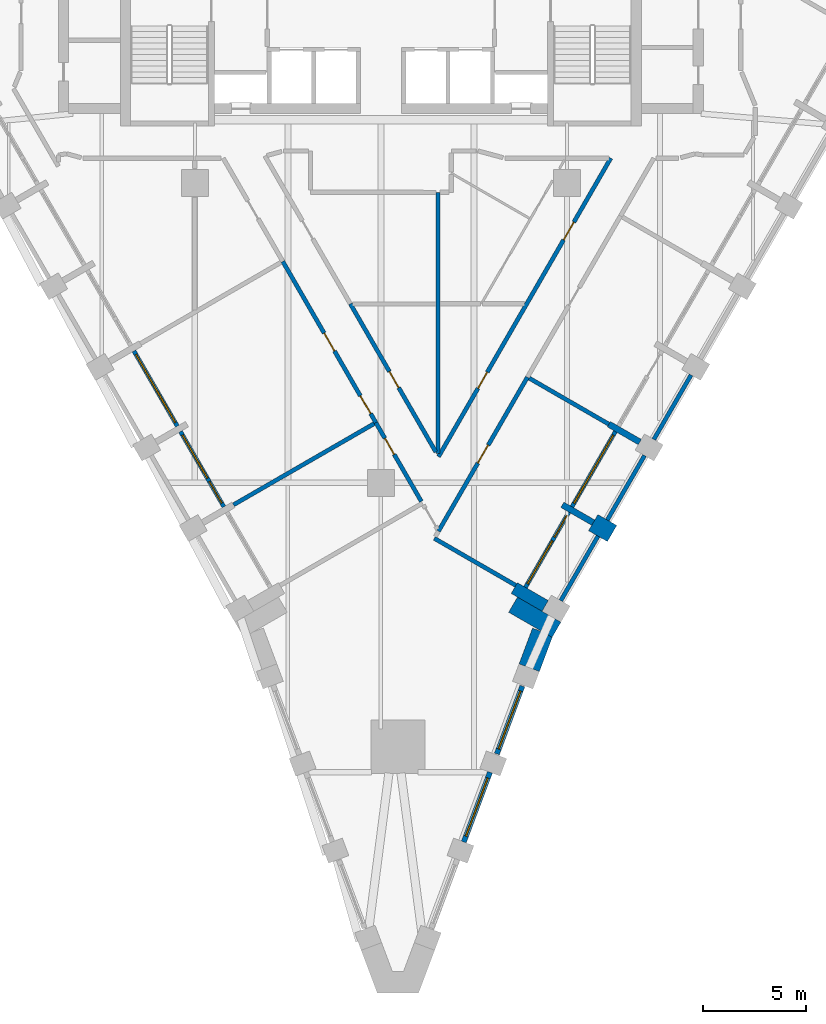
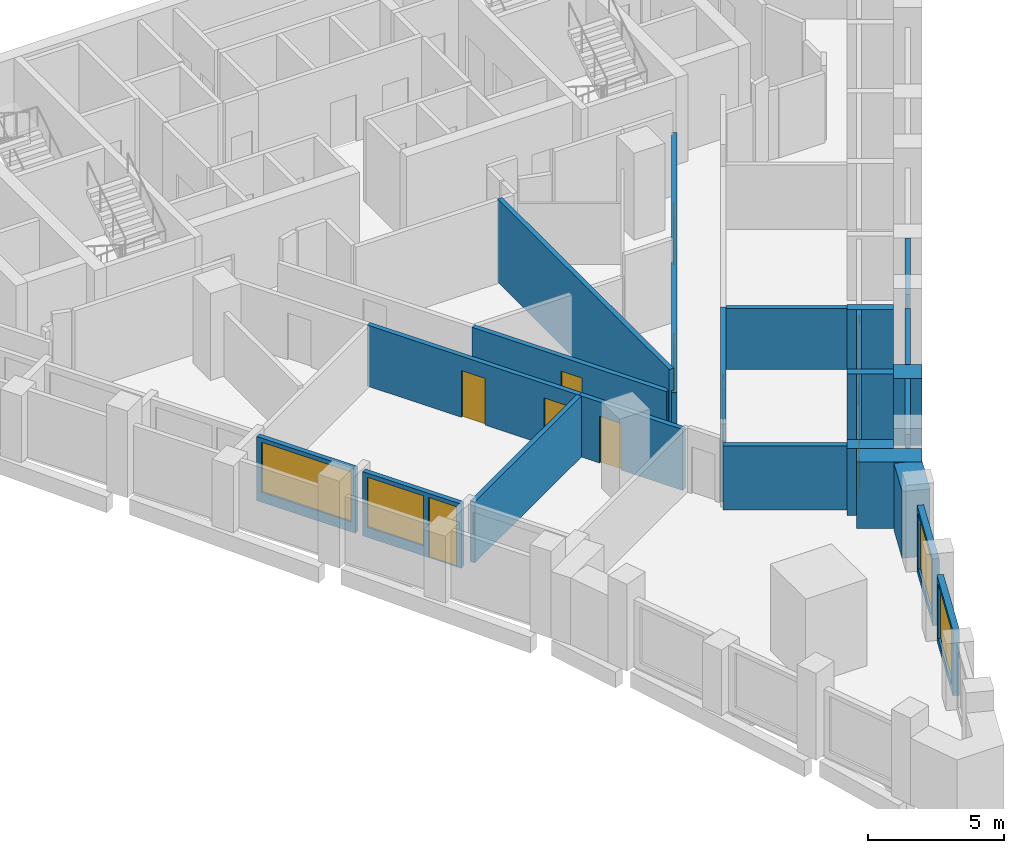
# One storey, part 3 of 10: 24 walls, 9 doors, 6 windows, 15 openings.
"""IFC4 building model written with IfcOpenShell, lengths in metres."""

from ifc_helpers import new_model, si_unit, direction, frame, frame_2d, origin, place, context, subcontext, project, spatial, polyline, rectangle, outline, extrude, material, layer, layer_set, type_object, element, fill, save


model = new_model("IFC4")

# Units and contexts
model_context = context("Model", 3, precision=1e-05, world=origin(), true_north=direction((0.0, 1.0)))
body_context = subcontext(model_context, "Body", "Model", "MODEL_VIEW")
ifc_project = project(units=[si_unit("LENGTHUNIT", "METRE"), si_unit("AREAUNIT", "SQUARE_METRE"), si_unit("VOLUMEUNIT", "CUBIC_METRE"), si_unit("PLANEANGLEUNIT", "RADIAN"), si_unit("MASSUNIT", "GRAM", prefix="KILO")], contexts=[model_context])

# Site, building, storey
site_placement = place(None, origin())
site = spatial("IfcSite", under=ifc_project, at=site_placement, CompositionType="ELEMENT")
building_placement = place(site_placement, origin())
building = spatial("IfcBuilding", under=site, at=building_placement, Name="Calabash Gate Tower", CompositionType="ELEMENT")
storey_placement = place(building_placement, frame((0.0, 0.0, 183.60009765625)))
storey = spatial("IfcBuildingStorey", under=building, at=storey_placement, Name="L43", CompositionType="ELEMENT", Elevation=183.60009765625)

# Walls
ifc_material_1 = material(Name="Terracotta brick masonry, exposed face", Category="masonry")
ifc_layer_1 = layer(ifc_material_1, 2.425048828125)
ifc_layer_set_1 = layer_set([ifc_layer_1], Name="Brick corner mass wall 2425")
wall_type_1 = type_object("IfcWallType", Name="Brick corner mass wall 2425", PredefinedType="SOLIDWALL", material=ifc_layer_set_1)
wall_1_placement = place(storey_placement, frame((8.489013671875, -19.102294921875, 0.0), z_axis=(0.0, 0.0, 1.0), x_axis=(-0.866041403502, 0.499972286653, 0.0)))
element("IfcWall", 1, at=wall_1_placement, inside=storey, type_object=wall_type_1, Name="Brick corner pier S12 2", PredefinedType="SOLIDWALL", context=body_context, shape_type="SweptSolid", body=[
    extrude(rectangle(XDim=2.425048828125, YDim=0.849609375, at=frame_2d((1.21240234375, 0.0))), origin(), (0.0, 0.0, 1.0), 3.0),
])
ifc_material_2 = material(Name="Terracotta brick masonry, exposed face", Category="masonry")
ifc_layer_2 = layer(ifc_material_2, 1.050048828125)
ifc_layer_set_2 = layer_set([ifc_layer_2], Name="Brick end wall 1050")
wall_type_2 = type_object("IfcWallType", Name="Brick end wall 1050", PredefinedType="SOLIDWALL", material=ifc_layer_set_2)
wall_2_placement = place(storey_placement, frame((11.17626953125, -14.447509765625, 0.0), z_axis=(0.0, 0.0, 1.0), x_axis=(-0.866030680601, 0.499990860175, 0.0)))
element("IfcWall", 2, at=wall_2_placement, inside=storey, type_object=wall_type_2, Name="Brick pier S12 SE4.1", PredefinedType="SOLIDWALL", context=body_context, shape_type="SweptSolid", body=[
    extrude(rectangle(XDim=1.0498046875, YDim=0.89990234375, at=frame_2d((0.52490234375, 0.0))), origin(), (0.0, 0.0, 1.0), 3.0),
])
wall_3_placement = place(storey_placement, origin())
element("IfcWall", 3, at=wall_3_placement, inside=storey, type_object=wall_type_2, Name="Brick end wall S12 3", PredefinedType="SOLIDWALL", context=body_context, shape_type="SweptSolid", body=[
    extrude(outline(polyline([(7.330322265625, -19.023193359375), (6.68017578125, -20.753173828125), (7.6630859375, -21.12255859375), (8.298095703125, -19.432861328125), (8.276611328125, -19.47021484375), (7.82177734375, -19.207763671875), (7.330322265625, -19.023193359375)])), origin(), (0.0, 0.0, 1.0), 3.0),
])
ifc_material_3 = material(Name="Terracotta brick masonry, exposed face", Category="masonry")
ifc_layer_3 = layer(ifc_material_3, 0.300048828125)
ifc_layer_set_3 = layer_set([ifc_layer_3], Name="Brick loggia cheek wall 300")
wall_type_3 = type_object("IfcWallType", Name="Brick loggia cheek wall 300", PredefinedType="SOLIDWALL", material=ifc_layer_set_3)
wall_4_placement = place(storey_placement, frame((7.942138671875, -17.94970703125, 0.0), z_axis=(0.0, 0.0, 1.0), x_axis=(-0.866013532718, 0.500020560727, 0.0)))
element("IfcWall", 4, at=wall_4_placement, inside=storey, type_object=wall_type_3, Name="Loggia cheek S12 SE4.0", PredefinedType="SOLIDWALL", context=body_context, shape_type="SweptSolid", body=[
    extrude(rectangle(XDim=1.72509765625, YDim=0.60009765625, at=frame_2d((0.862548828125, 0.0))), origin(), (0.0, 0.0, 1.0), 3.0),
])
wall_5_placement = place(storey_placement, frame((10.26708984375, -13.922607421875, 0.0), z_axis=(0.0, 0.0, 1.0), x_axis=(-0.866013532718, 0.500020560727, 0.0)))
element("IfcWall", 5, at=wall_5_placement, inside=storey, type_object=wall_type_3, Name="Loggia cheek S12 SE4.1", PredefinedType="SOLIDWALL", context=body_context, shape_type="SweptSolid", body=[
    extrude(rectangle(XDim=1.72509765625, YDim=0.300048828125, at=frame_2d((0.862548828125, 0.0))), origin(), (0.0, 0.0, 1.0), 3.0),
])
wall_6_placement = place(storey_placement, frame((12.51708984375, -10.025634765625, 0.0), z_axis=(0.0, 0.0, 1.0), x_axis=(-0.866013532718, 0.500020560727, 0.0)))
element("IfcWall", 6, at=wall_6_placement, inside=storey, type_object=wall_type_3, Name="Loggia cheek S12 SE4.2", PredefinedType="SOLIDWALL", context=body_context, shape_type="SweptSolid", body=[
    extrude(rectangle(XDim=1.72509765625, YDim=0.300048828125, at=frame_2d((0.862548828125, 0.0))), origin(), (0.0, 0.0, 1.0), 2.74169921875),
])
ifc_material_4 = material(Name="Gypsum board on steel studs, mineral wool", Category="steel")
ifc_layer_4 = layer(ifc_material_4, 0.199951171875)
ifc_layer_set_4 = layer_set([ifc_layer_4], Name="Partition 200 gypsum board EI 60")
wall_type_4 = type_object("IfcWallType", Name="Partition 200 gypsum board EI 60", PredefinedType="PARTITIONING", material=ifc_layer_set_4)
wall_7_placement = place(storey_placement, frame((2.58251953125, -14.6826171875, 0.0), z_axis=(0.0, 0.0, 1.0), x_axis=(0.866012237902, -0.500022803284, 0.0)))
element("IfcWall", 7, at=wall_7_placement, inside=storey, type_object=wall_type_4, Name="Partition", PredefinedType="PARTITIONING", context=body_context, shape_type="SweptSolid", body=[
    extrude(rectangle(XDim=4.550048828125, YDim=0.199951171875, at=frame_2d((2.27490234375, 0.0))), origin(), (0.0, 0.0, 1.0), 2.884033203125),
])
wall_8_placement = place(storey_placement, frame((-7.12939453125, -13.060302734375, 0.0), z_axis=(0.0, 0.0, 1.0), x_axis=(0.866135346495, 0.499809525271, 0.0)))
element("IfcWall", 8, at=wall_8_placement, inside=storey, type_object=wall_type_4, Name="Partition", PredefinedType="PARTITIONING", context=body_context, shape_type="SweptSolid", body=[
    extrude(rectangle(XDim=7.84814453125, YDim=0.199951171875, at=frame_2d((3.924072265625, 0.0))), origin(), (0.0, 0.0, 1.0), 2.74169921875),
])

# Wall, openings, doors
wall_9_placement = place(storey_placement, frame((2.784912109375, -10.731689453125, 0.0), z_axis=(0.0, 0.0, 1.0), x_axis=(0.499820110187, 0.866129238309, 0.0)))
wall_9 = element("IfcWall", 9, at=wall_9_placement, inside=storey, type_object=wall_type_4, Name="Partition", PredefinedType="PARTITIONING", context=body_context, shape_type="SweptSolid", body=[
    extrude(rectangle(XDim=16.664306640625, YDim=0.199951171875, at=frame_2d((8.33203125, 0.0))), origin(), (0.0, 0.0, 1.0), 2.74169921875),
])
opening_1_placement = place(wall_9_placement, frame((3.817626953125, 0.0, 0.0)))
opening_1 = element("IfcOpeningElement", 10, at=opening_1_placement, cuts=wall_9, Name="Opening 42-44-008", PredefinedType="OPENING", context=body_context, shape_type="SweptSolid", body=[
    extrude(rectangle(XDim=0.89990234375, YDim=2.10009765625, at=frame_2d((0.449951171875, 1.050048828125))), frame((0.0, 0.10986328125, 0.0), z_axis=(0.0, -1.0, 0.0), x_axis=(1.0, 0.0, 0.0)), (0.0, 0.0, 1.0), 0.219970703125),
])
opening_2_placement = place(wall_9_placement, frame((12.099853515625, 0.0, 0.0)))
opening_2 = element("IfcOpeningElement", 11, at=opening_2_placement, cuts=wall_9, Name="Opening 42-44-014", PredefinedType="OPENING", context=body_context, shape_type="SweptSolid", body=[
    extrude(rectangle(XDim=1.0, YDim=2.10009765625, at=frame_2d((0.5, 1.050048828125))), frame((0.0, 0.10986328125, 0.0), z_axis=(0.0, -1.0, 0.0), x_axis=(1.0, 0.0, 0.0)), (0.0, 0.0, 1.0), 0.219970703125),
])
ifc_material_5 = material(Name="Steel fire door set with fire-resisting glazing", Category="steel")
door_type_1 = type_object("IfcDoorType", Name="SD3 Store door 900x2100", OperationType="NOTDEFINED", PredefinedType="DOOR", material=ifc_material_5)
door_1_placement = place(opening_1_placement, origin())
door_1 = element("IfcDoor", 12, at=door_1_placement, inside=storey, type_object=door_type_1, Name="Store door", OperationType="SINGLE_SWING_LEFT", OverallHeight=2.10009765625, OverallWidth=0.89990234375, PredefinedType="DOOR", context=body_context, shape_type="SweptSolid", body=[
    extrude(rectangle(XDim=0.89990234375, YDim=2.10009765625, at=frame_2d((0.449951171875, 1.050048828125))), frame((0.0, 0.02490234375, 0.0), z_axis=(0.0, -1.0, 0.0), x_axis=(1.0, 0.0, 0.0)), (0.0, 0.0, 1.0), 0.050048828125),
])
fill(opening_1, door_1)
ifc_material_6 = material(Name="Steel fire door set with fire-resisting glazing", Category="steel")
door_type_2 = type_object("IfcDoorType", Name="WD3 WC lobby door 1000x2100", OperationType="NOTDEFINED", PredefinedType="DOOR", material=ifc_material_6)
door_2_placement = place(opening_2_placement, origin())
door_2 = element("IfcDoor", 13, at=door_2_placement, inside=storey, type_object=door_type_2, Name="WC lobby door", OperationType="SINGLE_SWING_RIGHT", OverallHeight=2.10009765625, OverallWidth=1.0, PredefinedType="DOOR", context=body_context, shape_type="SweptSolid", body=[
    extrude(rectangle(XDim=1.0, YDim=2.10009765625, at=frame_2d((0.5, 1.050048828125))), frame((0.0, 0.02490234375, 0.0), z_axis=(0.0, -1.0, 0.0), x_axis=(1.0, 0.0, 0.0)), (0.0, 0.0, 1.0), 0.050048828125),
])
fill(opening_2, door_2)

wall_10_placement = place(storey_placement, frame((-4.746337890625, -1.2919921875, 0.0), z_axis=(0.0, 0.0, 1.0), x_axis=(0.5000018851, -0.866024315419, 0.0)))
wall_10 = element("IfcWall", 14, at=wall_10_placement, inside=storey, type_object=wall_type_4, Name="Partition", PredefinedType="PARTITIONING", context=body_context, shape_type="SweptSolid", body=[
    extrude(rectangle(XDim=9.0, YDim=0.199951171875, at=frame_2d((4.5, 0.0))), origin(), (0.0, 0.0, 1.0), 2.74169921875),
])
opening_3_placement = place(wall_10_placement, frame((4.0, 0.0, 0.0)))
opening_3 = element("IfcOpeningElement", 15, at=opening_3_placement, cuts=wall_10, Name="Opening 42-44-001", PredefinedType="OPENING", context=body_context, shape_type="SweptSolid", body=[
    extrude(rectangle(XDim=1.0, YDim=2.10009765625, at=frame_2d((0.5, 1.050048828125))), frame((0.0, 0.10986328125, 0.0), z_axis=(0.0, -1.0, 0.0), x_axis=(1.0, 0.0, 0.0)), (0.0, 0.0, 1.0), 0.219970703125),
])
opening_4_placement = place(wall_10_placement, frame((7.501708984375, 0.0, 0.0)))
opening_4 = element("IfcOpeningElement", 16, at=opening_4_placement, cuts=wall_10, Name="Opening 42-44-002", PredefinedType="OPENING", context=body_context, shape_type="SweptSolid", body=[
    extrude(rectangle(XDim=1.0, YDim=2.10009765625, at=frame_2d((0.5, 1.050048828125))), frame((0.0, 0.10986328125, 0.0), z_axis=(0.0, -1.0, 0.0), x_axis=(1.0, 0.0, 0.0)), (0.0, 0.0, 1.0), 0.219970703125),
])
ifc_material_7 = material(Name="Steel fire door set with fire-resisting glazing", Category="steel")
door_type_3 = type_object("IfcDoorType", Name="LD2 Meeting room door 1000x2100", OperationType="NOTDEFINED", PredefinedType="DOOR", material=ifc_material_7)
door_3_placement = place(opening_3_placement, origin())
door_3 = element("IfcDoor", 17, at=door_3_placement, inside=storey, type_object=door_type_3, Name="Meeting room door", OperationType="SINGLE_SWING_RIGHT", OverallHeight=2.10009765625, OverallWidth=1.0, PredefinedType="DOOR", context=body_context, shape_type="SweptSolid", body=[
    extrude(rectangle(XDim=1.0, YDim=2.10009765625, at=frame_2d((0.5, 1.050048828125))), frame((0.0, 0.02490234375, 0.0), z_axis=(0.0, -1.0, 0.0), x_axis=(1.0, 0.0, 0.0)), (0.0, 0.0, 1.0), 0.050048828125),
])
fill(opening_3, door_3)
door_4_placement = place(opening_4_placement, origin())
door_4 = element("IfcDoor", 18, at=door_4_placement, inside=storey, type_object=door_type_3, Name="Meeting room door", OperationType="SINGLE_SWING_RIGHT", OverallHeight=2.10009765625, OverallWidth=1.0, PredefinedType="DOOR", context=body_context, shape_type="SweptSolid", body=[
    extrude(rectangle(XDim=1.0, YDim=2.10009765625, at=frame_2d((0.5, 1.050048828125))), frame((0.0, 0.02490234375, 0.0), z_axis=(0.0, -1.0, 0.0), x_axis=(1.0, 0.0, 0.0)), (0.0, 0.0, 1.0), 0.050048828125),
])
fill(opening_4, door_4)

# Wall, opening, door
wall_11_placement = place(storey_placement, frame((-0.245361328125, -9.087890625, 0.0), z_axis=(0.0, 0.0, 1.0), x_axis=(0.500013981145, -0.866017331616, 0.0)))
wall_11 = element("IfcWall", 19, at=wall_11_placement, inside=storey, type_object=wall_type_4, Name="Partition", PredefinedType="PARTITIONING", context=body_context, shape_type="SweptSolid", body=[
    extrude(rectangle(XDim=4.397705078125, YDim=0.199951171875, at=frame_2d((2.19873046875, 0.0))), origin(), (0.0, 0.0, 1.0), 2.74169921875),
])
opening_5_placement = place(wall_11_placement, frame((0.871337890625, 0.0, 0.0)))
opening_5 = element("IfcOpeningElement", 20, at=opening_5_placement, cuts=wall_11, Name="Opening 42-44-003", PredefinedType="OPENING", context=body_context, shape_type="SweptSolid", body=[
    extrude(rectangle(XDim=0.89990234375, YDim=2.10009765625, at=frame_2d((0.449951171875, 1.050048828125))), frame((0.0, 0.10986328125, 0.0), z_axis=(0.0, -1.0, 0.0), x_axis=(1.0, 0.0, 0.0)), (0.0, 0.0, 1.0), 0.219970703125),
])
door_5_placement = place(opening_5_placement, origin())
door_5 = element("IfcDoor", 21, at=door_5_placement, inside=storey, type_object=door_type_1, Name="Store door", OperationType="SINGLE_SWING_RIGHT", OverallHeight=2.10009765625, OverallWidth=0.89990234375, PredefinedType="DOOR", context=body_context, shape_type="SweptSolid", body=[
    extrude(rectangle(XDim=0.89990234375, YDim=2.10009765625, at=frame_2d((0.449951171875, 1.050048828125))), frame((0.0, 0.02490234375, 0.0), z_axis=(0.0, -1.0, 0.0), x_axis=(1.0, 0.0, 0.0)), (0.0, 0.0, 1.0), 0.050048828125),
])
fill(opening_5, door_5)

# Wall
wall_12_placement = place(storey_placement, frame((7.17041015625, -6.936279296875, 0.0), z_axis=(0.0, 0.0, 1.0), x_axis=(0.865815424907, -0.500363517848, 0.0)))
element("IfcWall", 22, at=wall_12_placement, inside=storey, type_object=wall_type_4, Name="Partition", PredefinedType="PARTITIONING", context=body_context, shape_type="SweptSolid", body=[
    extrude(rectangle(XDim=4.449951171875, YDim=0.199951171875, at=frame_2d((2.22509765625, 0.0))), origin(), (0.0, 0.0, 1.0), 2.74169921875),
])

# Wall, opening, door
wall_13_placement = place(storey_placement, frame((2.784423828125, -14.332763671875, 0.0), z_axis=(0.0, 0.0, 1.0), x_axis=(0.500204257301, 0.865907443656, 0.0)))
wall_13 = element("IfcWall", 23, at=wall_13_placement, inside=storey, type_object=wall_type_4, Name="Partition", PredefinedType="PARTITIONING", context=body_context, shape_type="SweptSolid", body=[
    extrude(rectangle(XDim=8.5966796875, YDim=0.199951171875, at=frame_2d((4.29833984375, 0.0))), origin(), (0.0, 0.0, 1.0), 2.74169921875),
])
opening_6_placement = place(wall_13_placement, frame((3.798583984375, 0.0, 0.0)))
opening_6 = element("IfcOpeningElement", 24, at=opening_6_placement, cuts=wall_13, Name="Opening 42-44-004", PredefinedType="OPENING", context=body_context, shape_type="SweptSolid", body=[
    extrude(rectangle(XDim=1.0, YDim=2.39990234375, at=frame_2d((0.5, 1.199951171875))), frame((0.0, 0.10986328125, 0.0), z_axis=(0.0, -1.0, 0.0), x_axis=(1.0, 0.0, 0.0)), (0.0, 0.0, 1.0), 0.219970703125),
])
ifc_material_8 = material(Name="Painted timber door", Category="wood")
door_type_4 = type_object("IfcDoorType", Name="OD2 Glazed office door 1000x2400", OperationType="NOTDEFINED", PredefinedType="DOOR", material=ifc_material_8)
door_6_placement = place(opening_6_placement, origin())
door_6 = element("IfcDoor", 25, at=door_6_placement, inside=storey, type_object=door_type_4, Name="Glazed office door", OperationType="SINGLE_SWING_LEFT", OverallHeight=2.39990234375, OverallWidth=1.0, PredefinedType="DOOR", context=body_context, shape_type="SweptSolid", body=[
    extrude(rectangle(XDim=1.0, YDim=2.39990234375, at=frame_2d((0.5, 1.199951171875))), frame((0.0, 0.02490234375, 0.0), z_axis=(0.0, -1.0, 0.0), x_axis=(1.0, 0.0, 0.0)), (0.0, 0.0, 1.0), 0.050048828125),
])
fill(opening_6, door_6)

wall_14_placement = place(storey_placement, frame((-1.479736328125, -3.341796875, 0.0), z_axis=(0.0, 0.0, 1.0), x_axis=(0.499828066166, -0.866124647076, 0.0)))
wall_14 = element("IfcWall", 26, at=wall_14_placement, inside=storey, type_object=wall_type_4, Name="Partition", PredefinedType="PARTITIONING", context=body_context, shape_type="SweptSolid", body=[
    extrude(rectangle(XDim=8.271484375, YDim=0.199951171875, at=frame_2d((4.1357421875, 0.0))), origin(), (0.0, 0.0, 1.0), 2.74169921875),
])
opening_7_placement = place(wall_14_placement, frame((3.783935546875, 0.0, 0.0)))
opening_7 = element("IfcOpeningElement", 27, at=opening_7_placement, cuts=wall_14, Name="Opening 42-44-007", PredefinedType="OPENING", context=body_context, shape_type="SweptSolid", body=[
    extrude(rectangle(XDim=0.89990234375, YDim=2.10009765625, at=frame_2d((0.449951171875, 1.050048828125))), frame((0.0, 0.10986328125, 0.0), z_axis=(0.0, -1.0, 0.0), x_axis=(1.0, 0.0, 0.0)), (0.0, 0.0, 1.0), 0.219970703125),
])
door_7_placement = place(opening_7_placement, origin())
door_7 = element("IfcDoor", 28, at=door_7_placement, inside=storey, type_object=door_type_1, Name="Store door", OperationType="SINGLE_SWING_RIGHT", OverallHeight=2.10009765625, OverallWidth=0.89990234375, PredefinedType="DOOR", context=body_context, shape_type="SweptSolid", body=[
    extrude(rectangle(XDim=0.89990234375, YDim=2.10009765625, at=frame_2d((0.449951171875, 1.050048828125))), frame((0.0, 0.02490234375, 0.0), z_axis=(0.0, -1.0, 0.0), x_axis=(1.0, 0.0, 0.0)), (0.0, 0.0, 1.0), 0.050048828125),
])
fill(opening_7, door_7)

# Wall
wall_15_placement = place(storey_placement, frame((2.75439453125, -10.58447265625, 0.0), z_axis=(0.0, 0.0, 1.0), x_axis=(0.00025119316, 0.999999968451, 0.0)))
element("IfcWall", 29, at=wall_15_placement, inside=storey, type_object=wall_type_4, Name="Partition", PredefinedType="PARTITIONING", context=body_context, shape_type="SweptSolid", body=[
    extrude(rectangle(XDim=12.635009765625, YDim=0.199951171875, at=frame_2d((6.3173828125, 0.0))), origin(), (0.0, 0.0, 1.0), 3.72998046875),
])

# Wall, opening, window
ifc_material_9 = material(Name="Aluminium framed window wall with insulated spandrel", Category="aluminium")
ifc_layer_5 = layer(ifc_material_9, 0.25)
ifc_layer_set_5 = layer_set([ifc_layer_5], Name="Prow window wall 250")
wall_type_5 = type_object("IfcWallType", Name="Prow window wall 250", PredefinedType="ELEMENTEDWALL", material=ifc_layer_set_5)
wall_16_placement = place(storey_placement, frame((4.005126953125, -29.362548828125, 0.0), z_axis=(0.0, 0.0, 1.0), x_axis=(0.351829371284, 0.936064150314, 0.0)))
wall_16 = element("IfcWall", 30, at=wall_16_placement, inside=storey, type_object=wall_type_5, Name="Prow window wall S12 wedge3.2", PredefinedType="ELEMENTEDWALL", context=body_context, shape_type="SweptSolid", body=[
    extrude(rectangle(XDim=3.60009765625, YDim=0.25, at=frame_2d((1.800048828125, 0.0))), origin(), (0.0, 0.0, 1.0), 2.949951171875),
])
opening_8_placement = place(wall_16_placement, frame((0.300048828125, 0.0, 0.300048828125)))
opening_8 = element("IfcOpeningElement", 31, at=opening_8_placement, cuts=wall_16, Name="Opening WP2L-2450", PredefinedType="OPENING", context=body_context, shape_type="SweptSolid", body=[
    extrude(rectangle(XDim=3.0, YDim=2.449951171875, at=frame_2d((1.5, 1.22509765625))), frame((0.0, 0.135009765625, 0.0), z_axis=(0.0, -1.0, 0.0), x_axis=(1.0, 0.0, 0.0)), (0.0, 0.0, 1.0), 0.27001953125),
])
ifc_material_10 = material(Name="Anodised aluminium frame, bronze finish, impact-rated laminated clear glazing", Category="aluminium")
window_type_1 = type_object("IfcWindowType", Name="Window WP2L 3000x2450", PartitioningType="DOUBLE_PANEL_VERTICAL", PredefinedType="WINDOW", material=ifc_material_10)
window_1_placement = place(opening_8_placement, origin())
window_1 = element("IfcWindow", 32, at=window_1_placement, inside=storey, type_object=window_type_1, Name="Prow window WP2L S12 wedge3.2", OverallHeight=2.449951171875, OverallWidth=3.0, PartitioningType="SINGLE_PANEL", PredefinedType="WINDOW", context=body_context, shape_type="SweptSolid", body=[
    extrude(rectangle(XDim=3.0, YDim=2.449951171875, at=frame_2d((1.5, 1.22509765625))), frame((0.0, 0.030029296875, 0.0), z_axis=(0.0, -1.0, 0.0), x_axis=(1.0, 0.0, 0.0)), (0.0, 0.0, 1.0), 0.06005859375),
])
fill(opening_8, window_1)

wall_17_placement = place(storey_placement, frame((5.60595703125, -25.103271484375, 0.0), z_axis=(0.0, 0.0, 1.0), x_axis=(0.351849563443, 0.936056560634, 0.0)))
wall_17 = element("IfcWall", 33, at=wall_17_placement, inside=storey, type_object=wall_type_5, Name="Prow window wall S12 wedge3.3", PredefinedType="ELEMENTEDWALL", context=body_context, shape_type="SweptSolid", body=[
    extrude(rectangle(XDim=3.5, YDim=0.25, at=frame_2d((1.75, 0.0))), origin(), (0.0, 0.0, 1.0), 3.0),
])
opening_9_placement = place(wall_17_placement, frame((0.25, 0.0, 0.300048828125)))
opening_9 = element("IfcOpeningElement", 34, at=opening_9_placement, cuts=wall_17, Name="Opening WP2", PredefinedType="OPENING", context=body_context, shape_type="SweptSolid", body=[
    extrude(rectangle(XDim=3.0, YDim=2.5, at=frame_2d((1.5, 1.25))), frame((0.0, 0.135009765625, 0.0), z_axis=(0.0, -1.0, 0.0), x_axis=(1.0, 0.0, 0.0)), (0.0, 0.0, 1.0), 0.27001953125),
])
ifc_material_11 = material(Name="Anodised aluminium frame, bronze finish, impact-rated laminated clear glazing", Category="aluminium")
window_type_2 = type_object("IfcWindowType", Name="Window WP2 3000x2500", PartitioningType="DOUBLE_PANEL_VERTICAL", PredefinedType="WINDOW", material=ifc_material_11)
window_2_placement = place(opening_9_placement, origin())
window_2 = element("IfcWindow", 35, at=window_2_placement, inside=storey, type_object=window_type_2, Name="Prow window WP2 S12 wedge3.3", OverallHeight=2.5, OverallWidth=3.0, PartitioningType="SINGLE_PANEL", PredefinedType="WINDOW", context=body_context, shape_type="SweptSolid", body=[
    extrude(rectangle(XDim=3.0, YDim=2.5, at=frame_2d((1.5, 1.25))), frame((0.0, 0.030029296875, 0.0), z_axis=(0.0, -1.0, 0.0), x_axis=(1.0, 0.0, 0.0)), (0.0, 0.0, 1.0), 0.06005859375),
])
fill(opening_9, window_2)

# Walls
ifc_material_12 = material(Name="Terracotta brick masonry, perforated", Category="masonry")
ifc_layer_6 = layer(ifc_material_12, 0.199951171875)
ifc_layer_set_6 = layer_set([ifc_layer_6], Name="Terracotta jaali screen B")
wall_type_6 = type_object("IfcWallType", Name="Terracotta jaali screen B", PredefinedType="SOLIDWALL", material=ifc_layer_set_6)
for number, where, z_axis, x_axis, name in (
    (36, (8.69677734375, -17.692626953125, 0.0), (0.0, 0.0, 1.0), (0.499961193289, 0.866047807691, 0.0), "SCREEN B S12 SE4.1"),
    (37, (10.94677734375, -13.79541015625, 0.0), (0.0, 0.0, 1.0), (0.499961193289, 0.866047807691, 0.0), "SCREEN B S12 SE4.2"),
    (38, (13.19677734375, -9.898193359375, 0.0), (0.0, 0.0, 1.0), (0.499961193289, 0.866047807691, 0.0), "SCREEN B S12 SE4.3"),
):
    element("IfcWall", number, at=place(storey_placement, frame(where, z_axis=z_axis, x_axis=x_axis)), inside=storey, type_object=wall_type_6, Name=name, PredefinedType="SOLIDWALL", context=body_context, shape_type="SweptSolid", body=[
        extrude(rectangle(XDim=3.599853515625, YDim=0.199951171875, at=frame_2d((1.7998046875, 0.0))), origin(), (0.0, 0.0, 1.0), 3.0),
    ])

# Wall, opening, window
ifc_material_13 = material(Name="Aluminium framed window wall with insulated spandrel", Category="aluminium")
ifc_layer_7 = layer(ifc_material_13, 0.199951171875)
ifc_layer_set_7 = layer_set([ifc_layer_7], Name="Window wall 200")
wall_type_7 = type_object("IfcWallType", Name="Window wall 200", PredefinedType="ELEMENTEDWALL", material=ifc_layer_set_7)
wall_18_placement = place(storey_placement, frame((-11.944091796875, -5.620849609375, 0.0), z_axis=(0.0, 0.0, 1.0), x_axis=(0.49998411664, -0.866034573852, 0.0)))
wall_18 = element("IfcWall", 39, at=wall_18_placement, inside=storey, type_object=wall_type_7, Name="Window wall S12 SW0.6", PredefinedType="ELEMENTEDWALL", context=body_context, shape_type="SweptSolid", body=[
    extrude(rectangle(XDim=4.199951171875, YDim=0.199951171875, at=frame_2d((2.10009765625, 0.0))), origin(), (0.0, 0.0, 1.0), 2.884033203125),
])
opening_10_placement = place(wall_18_placement, frame((0.199951171875, 0.0, 0.449951171875)))
opening_10 = element("IfcOpeningElement", 40, at=opening_10_placement, cuts=wall_18, Name="Opening OW2", PredefinedType="OPENING", context=body_context, shape_type="SweptSolid", body=[
    extrude(rectangle(XDim=3.800048828125, YDim=2.25, at=frame_2d((1.89990234375, 1.125))), frame((0.0, 0.10986328125, 0.0), z_axis=(0.0, -1.0, 0.0), x_axis=(1.0, 0.0, 0.0)), (0.0, 0.0, 1.0), 0.219970703125),
])
ifc_material_14 = material(Name="Anodised aluminium frame, bronze finish, impact-rated laminated clear glazing", Category="aluminium")
window_type_3 = type_object("IfcWindowType", Name="Window OW2 3800x2250", PartitioningType="TRIPLE_PANEL_VERTICAL", PredefinedType="WINDOW", material=ifc_material_14)
window_3_placement = place(opening_10_placement, origin())
window_3 = element("IfcWindow", 41, at=window_3_placement, inside=storey, type_object=window_type_3, Name="Window OW2 S12 SW0.6", OverallHeight=2.25, OverallWidth=3.800048828125, PartitioningType="SINGLE_PANEL", PredefinedType="WINDOW", context=body_context, shape_type="SweptSolid", body=[
    extrude(rectangle(XDim=3.800048828125, YDim=2.25, at=frame_2d((1.89990234375, 1.125))), frame((0.0, 0.030029296875, 0.0), z_axis=(0.0, -1.0, 0.0), x_axis=(1.0, 0.0, 0.0)), (0.0, 0.0, 1.0), 0.06005859375),
])
fill(opening_10, window_3)

# Wall, openings, door, window
wall_19_placement = place(storey_placement, frame((-9.694091796875, -9.517822265625, 0.0), z_axis=(0.0, 0.0, 1.0), x_axis=(0.499958946799, -0.866049104564, 0.0)))
wall_19 = element("IfcWall", 42, at=wall_19_placement, inside=storey, type_object=wall_type_7, Name="Window wall S12 SW0.7", PredefinedType="ELEMENTEDWALL", context=body_context, shape_type="SweptSolid", body=[
    extrude(rectangle(XDim=4.199951171875, YDim=0.199951171875, at=frame_2d((2.10009765625, 0.0))), origin(), (0.0, 0.0, 1.0), 2.884033203125),
])
opening_11_placement = place(wall_19_placement, frame((0.199951171875, 0.0, 0.449951171875)))
opening_11 = element("IfcOpeningElement", 43, at=opening_11_placement, cuts=wall_19, Name="Opening OW1", PredefinedType="OPENING", context=body_context, shape_type="SweptSolid", body=[
    extrude(rectangle(XDim=2.39990234375, YDim=2.25, at=frame_2d((1.199951171875, 1.125))), frame((0.0, 0.10986328125, 0.0), z_axis=(0.0, -1.0, 0.0), x_axis=(1.0, 0.0, 0.0)), (0.0, 0.0, 1.0), 0.219970703125),
])
opening_12_placement = place(wall_19_placement, frame((2.800048828125, 0.0, 0.0)))
opening_12 = element("IfcOpeningElement", 44, at=opening_12_placement, cuts=wall_19, Name="Opening O4-028", PredefinedType="OPENING", context=body_context, shape_type="SweptSolid", body=[
    extrude(rectangle(XDim=1.199951171875, YDim=2.699951171875, at=frame_2d((0.60009765625, 1.35009765625))), frame((0.0, 0.10986328125, 0.0), z_axis=(0.0, -1.0, 0.0), x_axis=(1.0, 0.0, 0.0)), (0.0, 0.0, 1.0), 0.219970703125),
])
ifc_material_15 = material(Name="Anodised aluminium frame, bronze finish, impact-rated laminated clear glazing", Category="aluminium")
door_type_5 = type_object("IfcDoorType", Name="Loggia door DO1 1200x2700", OperationType="SLIDING_TO_LEFT", PredefinedType="DOOR", material=ifc_material_15)
door_8_placement = place(opening_12_placement, origin())
door_8 = element("IfcDoor", 45, at=door_8_placement, inside=storey, type_object=door_type_5, Name="Loggia door S12 SW0.7", OperationType="SINGLE_SWING_LEFT", OverallHeight=2.699951171875, OverallWidth=1.199951171875, PredefinedType="DOOR", context=body_context, shape_type="SweptSolid", body=[
    extrude(rectangle(XDim=1.199951171875, YDim=2.699951171875, at=frame_2d((0.60009765625, 1.35009765625))), frame((0.0, 0.02490234375, 0.0), z_axis=(0.0, -1.0, 0.0), x_axis=(1.0, 0.0, 0.0)), (0.0, 0.0, 1.0), 0.050048828125),
])
fill(opening_12, door_8)
ifc_material_16 = material(Name="Anodised aluminium frame, bronze finish, impact-rated laminated clear glazing", Category="aluminium")
window_type_4 = type_object("IfcWindowType", Name="Window OW1 2400x2250", PartitioningType="DOUBLE_PANEL_VERTICAL", PredefinedType="WINDOW", material=ifc_material_16)
window_4_placement = place(opening_11_placement, origin())
window_4 = element("IfcWindow", 46, at=window_4_placement, inside=storey, type_object=window_type_4, Name="Window OW1 S12 SW0.7", OverallHeight=2.25, OverallWidth=2.39990234375, PartitioningType="SINGLE_PANEL", PredefinedType="WINDOW", context=body_context, shape_type="SweptSolid", body=[
    extrude(rectangle(XDim=2.39990234375, YDim=2.25, at=frame_2d((1.199951171875, 1.125))), frame((0.0, 0.030029296875, 0.0), z_axis=(0.0, -1.0, 0.0), x_axis=(1.0, 0.0, 0.0)), (0.0, 0.0, 1.0), 0.06005859375),
])
fill(opening_11, window_4)

wall_20_placement = place(storey_placement, frame((6.98779296875, -17.05224609375, 0.0), z_axis=(0.0, 0.0, 1.0), x_axis=(0.500027713859, 0.866009402589, 0.0)))
wall_20 = element("IfcWall", 47, at=wall_20_placement, inside=storey, type_object=wall_type_7, Name="Window wall S12 SE4.1", PredefinedType="ELEMENTEDWALL", context=body_context, shape_type="SweptSolid", body=[
    extrude(rectangle(XDim=4.199951171875, YDim=0.199951171875, at=frame_2d((2.10009765625, 0.0))), origin(), (0.0, 0.0, 1.0), 3.0),
])
opening_13_placement = place(wall_20_placement, frame((0.199951171875, 0.0, 0.449951171875)))
opening_13 = element("IfcOpeningElement", 48, at=opening_13_placement, cuts=wall_20, Name="Opening OW1", PredefinedType="OPENING", context=body_context, shape_type="SweptSolid", body=[
    extrude(rectangle(XDim=2.39990234375, YDim=2.25, at=frame_2d((1.199951171875, 1.125))), frame((0.0, 0.10986328125, 0.0), z_axis=(0.0, -1.0, 0.0), x_axis=(1.0, 0.0, 0.0)), (0.0, 0.0, 1.0), 0.219970703125),
])
opening_14_placement = place(wall_20_placement, frame((2.800048828125, 0.0, 0.0)))
opening_14 = element("IfcOpeningElement", 49, at=opening_14_placement, cuts=wall_20, Name="Opening O4-021", PredefinedType="OPENING", context=body_context, shape_type="SweptSolid", body=[
    extrude(rectangle(XDim=1.199951171875, YDim=2.699951171875, at=frame_2d((0.60009765625, 1.35009765625))), frame((0.0, 0.10986328125, 0.0), z_axis=(0.0, -1.0, 0.0), x_axis=(1.0, 0.0, 0.0)), (0.0, 0.0, 1.0), 0.219970703125),
])
door_9_placement = place(opening_14_placement, origin())
door_9 = element("IfcDoor", 50, at=door_9_placement, inside=storey, type_object=door_type_5, Name="Loggia door S12 SE4.1", OperationType="SINGLE_SWING_LEFT", OverallHeight=2.699951171875, OverallWidth=1.199951171875, PredefinedType="DOOR", context=body_context, shape_type="SweptSolid", body=[
    extrude(rectangle(XDim=1.199951171875, YDim=2.699951171875, at=frame_2d((0.60009765625, 1.35009765625))), frame((0.0, 0.02490234375, 0.0), z_axis=(0.0, -1.0, 0.0), x_axis=(1.0, 0.0, 0.0)), (0.0, 0.0, 1.0), 0.050048828125),
])
fill(opening_14, door_9)
window_5_placement = place(opening_13_placement, origin())
window_5 = element("IfcWindow", 51, at=window_5_placement, inside=storey, type_object=window_type_4, Name="Window OW1 S12 SE4.1", OverallHeight=2.25, OverallWidth=2.39990234375, PartitioningType="SINGLE_PANEL", PredefinedType="WINDOW", context=body_context, shape_type="SweptSolid", body=[
    extrude(rectangle(XDim=2.39990234375, YDim=2.25, at=frame_2d((1.199951171875, 1.125))), frame((0.0, 0.030029296875, 0.0), z_axis=(0.0, -1.0, 0.0), x_axis=(1.0, 0.0, 0.0)), (0.0, 0.0, 1.0), 0.06005859375),
])
fill(opening_13, window_5)

# Wall, opening, window
wall_21_placement = place(storey_placement, frame((9.23779296875, -13.1552734375, 0.0), z_axis=(0.0, 0.0, 1.0), x_axis=(0.500002543286, 0.866023935413, 0.0)))
wall_21 = element("IfcWall", 52, at=wall_21_placement, inside=storey, type_object=wall_type_7, Name="Window wall S12 SE4.2", PredefinedType="ELEMENTEDWALL", context=body_context, shape_type="SweptSolid", body=[
    extrude(rectangle(XDim=4.2001953125, YDim=0.199951171875, at=frame_2d((2.10009765625, 0.0))), origin(), (0.0, 0.0, 1.0), 2.74169921875),
])
opening_15_placement = place(wall_21_placement, frame((0.199951171875, 0.0, 0.449951171875)))
opening_15 = element("IfcOpeningElement", 53, at=opening_15_placement, cuts=wall_21, Name="Opening OW2L-2190", PredefinedType="OPENING", context=body_context, shape_type="SweptSolid", body=[
    extrude(rectangle(XDim=3.800048828125, YDim=2.18994140625, at=frame_2d((1.89990234375, 1.094970703125))), frame((0.0, 0.10986328125, 0.0), z_axis=(0.0, -1.0, 0.0), x_axis=(1.0, 0.0, 0.0)), (0.0, 0.0, 1.0), 0.219970703125),
])
ifc_material_17 = material(Name="Anodised aluminium frame, bronze finish, impact-rated laminated clear glazing", Category="aluminium")
window_type_5 = type_object("IfcWindowType", Name="Window OW2L 3800x2190", PartitioningType="TRIPLE_PANEL_VERTICAL", PredefinedType="WINDOW", material=ifc_material_17)
window_6_placement = place(opening_15_placement, origin())
window_6 = element("IfcWindow", 54, at=window_6_placement, inside=storey, type_object=window_type_5, Name="Window OW2 S12 SE4.2", OverallHeight=2.18994140625, OverallWidth=3.800048828125, PartitioningType="SINGLE_PANEL", PredefinedType="WINDOW", context=body_context, shape_type="SweptSolid", body=[
    extrude(rectangle(XDim=3.800048828125, YDim=2.18994140625, at=frame_2d((1.89990234375, 1.094970703125))), frame((0.0, 0.030029296875, 0.0), z_axis=(0.0, -1.0, 0.0), x_axis=(1.0, 0.0, 0.0)), (0.0, 0.0, 1.0), 0.06005859375),
])
fill(opening_15, window_6)

save(model, "model.ifc")
